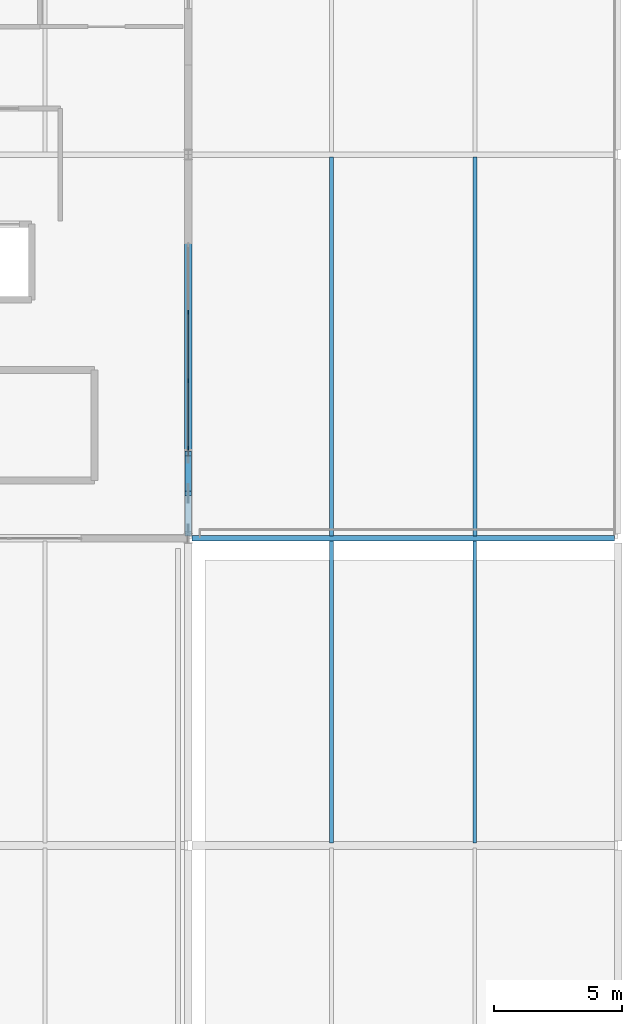
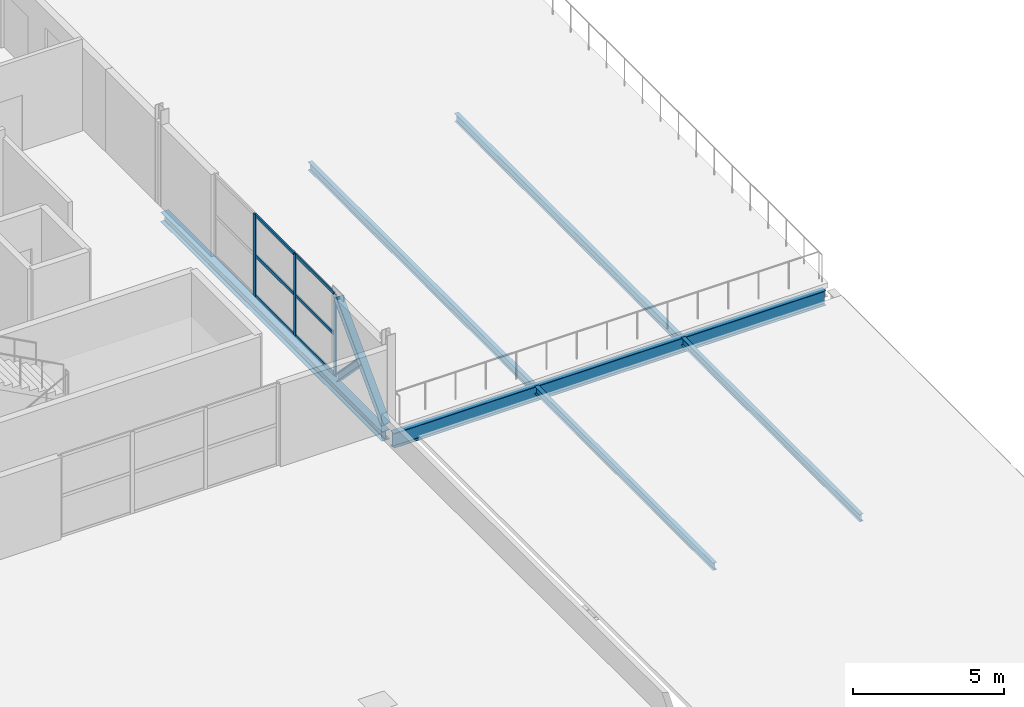
# One storey, part 21 of 36: 11 members, 6 beams, 1 element without a shape of its own.
"""IFC4 building model written with IfcOpenShell, lengths in metres."""

from ifc_helpers import new_model, si_unit, direction, frame, origin, origin_2d, place, context, subcontext, project, spatial, rectangle, i_section, extrude, material, material_profile, profile_set, type_object, element, aggregate, save


model = new_model("IFC4")

# Units and contexts
model_context = context("Model", 3, precision=1e-05, world=origin(), true_north=direction((0.0, 1.0)))
body_context = subcontext(model_context, "Body", "Model", "MODEL_VIEW")
ifc_project = project(units=[si_unit("LENGTHUNIT", "METRE"), si_unit("AREAUNIT", "SQUARE_METRE"), si_unit("VOLUMEUNIT", "CUBIC_METRE"), si_unit("PLANEANGLEUNIT", "RADIAN"), si_unit("MASSUNIT", "GRAM", prefix="KILO")], contexts=[model_context])

# Site, building, storey
site_placement = place(None, origin())
site = spatial("IfcSite", under=ifc_project, at=site_placement, CompositionType="ELEMENT")
building_placement = place(site_placement, origin())
building = spatial("IfcBuilding", under=site, at=building_placement, Name="Kimbaza Rail Terminus", CompositionType="ELEMENT")
storey_placement = place(building_placement, frame((0.0, 0.0, 21.0)))
storey = spatial("IfcBuildingStorey", under=building, at=storey_placement, Name="L04", CompositionType="ELEMENT", Elevation=21.0)

# Curtain wall, members
ifc_material_1 = material(Name="Anodised aluminium framing and solar low-E glazing", Category="aluminium")
curtain_wall_type = type_object("IfcCurtainWallType", Name="ARC-CW-OP2", PredefinedType="USERDEFINED", material=ifc_material_1)
curtain_wall_placement = place(storey_placement, origin())
curtain_wall = element("IfcCurtainWall", 1, at=curtain_wall_placement, inside=storey, type_object=curtain_wall_type, Name="Operations E Curtain Wall L04.1", ObjectType="STICK CURTAIN WALL", PredefinedType="USERDEFINED")
ifc_material_2 = material(Name="Anodised architectural aluminium", Category="aluminium")
ifc_material_profile_1 = material_profile(ifc_material_2, rectangle(XDim=0.05810546875, YDim=0.14990234375, at=origin_2d()), Name="MULLION 58x150")
ifc_profile_set_1 = profile_set([ifc_material_profile_1], Name="Anodised architectural aluminium")
member_type_1 = type_object("IfcMemberType", Name="ARC-CWM-06", PredefinedType="MULLION", material=ifc_profile_set_1)
member_1_placement = place(storey_placement, frame((139.199951171875, 106.529052734375, 0.0), z_axis=(0.0, 0.0, 1.0), x_axis=(-1.0, 0.0, 0.0)))
member_1 = element("IfcMember", 2, at=member_1_placement, type_object=member_type_1, Name="CW-06 mullion 1", PredefinedType="MULLION", context=body_context, shape_type="SweptSolid", body=[
    extrude(rectangle(XDim=0.05810546875, YDim=0.14990234375, at=origin_2d()), origin(), (0.0, 0.0, 1.0), 3.31494140625),
])
member_2_placement = place(storey_placement, frame((139.199951171875, 109.166748046875, 0.0), z_axis=(0.0, 0.0, 1.0), x_axis=(-1.0, 0.0, 0.0)))
member_2 = element("IfcMember", 3, at=member_2_placement, type_object=member_type_1, Name="CW-06 mullion 2", PredefinedType="MULLION", context=body_context, shape_type="SweptSolid", body=[
    extrude(rectangle(XDim=0.05810546875, YDim=0.14990234375, at=origin_2d()), origin(), (0.0, 0.0, 1.0), 3.31494140625),
])
member_3_placement = place(storey_placement, frame((139.199951171875, 111.833251953125, 0.0), z_axis=(0.0, 0.0, 1.0), x_axis=(-1.0, 0.0, 0.0)))
member_3 = element("IfcMember", 4, at=member_3_placement, type_object=member_type_1, Name="CW-06 mullion 3", PredefinedType="MULLION", context=body_context, shape_type="SweptSolid", body=[
    extrude(rectangle(XDim=0.05810546875, YDim=0.14990234375, at=origin_2d()), origin(), (0.0, 0.0, 1.0), 3.31494140625),
])
ifc_material_3 = material(Name="Anodised architectural aluminium", Category="aluminium")
ifc_material_profile_2 = material_profile(ifc_material_3, rectangle(XDim=0.05810546875, YDim=0.125, at=origin_2d()), Name="TRANSOM 58x125")
ifc_profile_set_2 = profile_set([ifc_material_profile_2], Name="Anodised architectural aluminium")
member_type_2 = type_object("IfcMemberType", Name="ARC-CWT-06", PredefinedType="USERDEFINED", material=ifc_profile_set_2)
member_4_placement = place(storey_placement, frame((139.199951171875, 106.55810546875, 0.029052734375), z_axis=(0.0, 1.0, 0.0), x_axis=(-1.0, 0.0, 0.0)))
member_4 = element("IfcMember", 5, at=member_4_placement, type_object=member_type_2, Name="CW-06 transom 1.1", ObjectType="TRANSOM", PredefinedType="USERDEFINED", context=body_context, shape_type="SweptSolid", body=[
    extrude(rectangle(XDim=0.05810546875, YDim=0.125, at=origin_2d()), origin(), (0.0, 0.0, 1.0), 2.57958984375),
])
member_5_placement = place(storey_placement, frame((139.199951171875, 106.55810546875, 1.657470703125), z_axis=(0.0, 1.0, 0.0), x_axis=(-1.0, 0.0, 0.0)))
member_5 = element("IfcMember", 6, at=member_5_placement, type_object=member_type_2, Name="CW-06 transom 1.2", ObjectType="TRANSOM", PredefinedType="USERDEFINED", context=body_context, shape_type="SweptSolid", body=[
    extrude(rectangle(XDim=0.05810546875, YDim=0.125, at=origin_2d()), origin(), (0.0, 0.0, 1.0), 2.57958984375),
])
member_6_placement = place(storey_placement, frame((139.199951171875, 106.55810546875, 3.285888671875), z_axis=(0.0, 1.0, 0.0), x_axis=(-1.0, 0.0, 0.0)))
member_6 = element("IfcMember", 7, at=member_6_placement, type_object=member_type_2, Name="CW-06 transom 1.3", ObjectType="TRANSOM", PredefinedType="USERDEFINED", context=body_context, shape_type="SweptSolid", body=[
    extrude(rectangle(XDim=0.05810546875, YDim=0.125, at=origin_2d()), origin(), (0.0, 0.0, 1.0), 2.57958984375),
])
member_7_placement = place(storey_placement, frame((139.199951171875, 109.195556640625, 0.029052734375), z_axis=(0.0, 1.0, 0.0), x_axis=(-1.0, 0.0, 0.0)))
member_7 = element("IfcMember", 8, at=member_7_placement, type_object=member_type_2, Name="CW-06 transom 2.1", ObjectType="TRANSOM", PredefinedType="USERDEFINED", context=body_context, shape_type="SweptSolid", body=[
    extrude(rectangle(XDim=0.05810546875, YDim=0.125, at=origin_2d()), origin(), (0.0, 0.0, 1.0), 2.60888671875),
])
member_8_placement = place(storey_placement, frame((139.199951171875, 109.195556640625, 1.657470703125), z_axis=(0.0, 1.0, 0.0), x_axis=(-1.0, 0.0, 0.0)))
member_8 = element("IfcMember", 9, at=member_8_placement, type_object=member_type_2, Name="CW-06 transom 2.2", ObjectType="TRANSOM", PredefinedType="USERDEFINED", context=body_context, shape_type="SweptSolid", body=[
    extrude(rectangle(XDim=0.05810546875, YDim=0.125, at=origin_2d()), origin(), (0.0, 0.0, 1.0), 2.60888671875),
])
member_9_placement = place(storey_placement, frame((139.199951171875, 109.195556640625, 3.285888671875), z_axis=(0.0, 1.0, 0.0), x_axis=(-1.0, 0.0, 0.0)))
member_9 = element("IfcMember", 10, at=member_9_placement, type_object=member_type_2, Name="CW-06 transom 2.3", ObjectType="TRANSOM", PredefinedType="USERDEFINED", context=body_context, shape_type="SweptSolid", body=[
    extrude(rectangle(XDim=0.05810546875, YDim=0.125, at=origin_2d()), origin(), (0.0, 0.0, 1.0), 2.60888671875),
])
aggregate(curtain_wall, [member_1, member_2, member_3, member_4, member_5, member_6, member_7, member_8, member_9])

# Beams
ifc_material_4 = material(Name="Steel S355", Category="steel")
ifc_material_profile_3 = material_profile(ifc_material_4, i_section(OverallWidth=0.300048828125, OverallDepth=0.389892578125, WebThickness=0.010986328125, FlangeThickness=0.01904296875, FilletRadius=0.027099609375, at=origin_2d()), Name="HEA 400")
ifc_profile_set_3 = profile_set([ifc_material_profile_3], Name="Steel S355")
beam_type_1 = type_object("IfcBeamType", Name="STR-BM-HEA400", PredefinedType="SPANDREL", material=ifc_profile_set_3)
beam_1_placement = place(storey_placement, frame((139.199951171875, 103.175048828125, -0.39501953125), z_axis=(0.0, 1.0, 0.0), x_axis=(-1.0, 0.0, 0.0)))
element("IfcBeam", 11, at=beam_1_placement, inside=storey, type_object=beam_type_1, Name="Operations Cross Girder L04 X5-Y0", PredefinedType="SPANDREL", context=body_context, shape_type="SweptSolid", body=[
    extrude(i_section(OverallWidth=0.300048828125, OverallDepth=0.389892578125, WebThickness=0.010986328125, FlangeThickness=0.01904296875, FilletRadius=0.027099609375, at=origin_2d()), origin(), (0.0, 0.0, 1.0), 14.64990234375),
])
ifc_material_5 = material(Name="Steel S355", Category="steel")
ifc_material_profile_4 = material_profile(ifc_material_5, i_section(OverallWidth=0.14990234375, OverallDepth=0.300048828125, WebThickness=0.007080078125, FlangeThickness=0.0107421875, FilletRadius=0.014892578125, at=origin_2d()), Name="IPE 300")
ifc_profile_set_4 = profile_set([ifc_material_profile_4], Name="Steel S355")
beam_type_2 = type_object("IfcBeamType", Name="STR-BM-IPE300", PredefinedType="JOIST", material=ifc_profile_set_4)
for number, where, z_axis, x_axis, name in (
    (12, (144.800048828125, 91.10009765625, -0.324951171875), (0.0, 1.0, 0.0), (-1.0, 0.0, 0.0), "Beam JST-BRGRF-L04-4-1-91"),
    (13, (150.39990234375, 91.10009765625, -0.324951171875), (0.0, 1.0, 0.0), (-1.0, 0.0, 0.0), "Beam JST-BRGRF-L04-4-2-91"),
):
    element("IfcBeam", number, at=place(storey_placement, frame(where, z_axis=z_axis, x_axis=x_axis)), inside=storey, type_object=beam_type_2, Name=name, PredefinedType="JOIST", context=body_context, shape_type="SweptSolid", body=[
        extrude(i_section(OverallWidth=0.14990234375, OverallDepth=0.300048828125, WebThickness=0.007080078125, FlangeThickness=0.0107421875, FilletRadius=0.014892578125, at=origin_2d()), origin(), (0.0, 0.0, 1.0), 11.7998046875),
    ])
ifc_material_6 = material(Name="Steel S355", Category="steel")
ifc_material_profile_5 = material_profile(ifc_material_6, i_section(OverallWidth=0.159912109375, OverallDepth=0.330078125, WebThickness=0.007568359375, FlangeThickness=0.011474609375, FilletRadius=0.01806640625, at=origin_2d()), Name="IPE 330")
ifc_profile_set_5 = profile_set([ifc_material_profile_5], Name="Steel S355")
beam_type_3 = type_object("IfcBeamType", Name="STR-BM-IPE330", PredefinedType="JOIST", material=ifc_profile_set_5)
for number, where, z_axis, x_axis, name in (
    (14, (144.800048828125, 103.10009765625, -0.364990234375), (0.0, 1.0, 0.0), (-1.0, 0.0, 0.0), "Beam JST-TER4-1-0"),
    (15, (150.39990234375, 103.10009765625, -0.364990234375), (0.0, 1.0, 0.0), (-1.0, 0.0, 0.0), "Beam JST-TER4-2-0"),
):
    element("IfcBeam", number, at=place(storey_placement, frame(where, z_axis=z_axis, x_axis=x_axis)), inside=storey, type_object=beam_type_3, Name=name, PredefinedType="JOIST", context=body_context, shape_type="SweptSolid", body=[
        extrude(i_section(OverallWidth=0.159912109375, OverallDepth=0.330078125, WebThickness=0.007568359375, FlangeThickness=0.011474609375, FilletRadius=0.01806640625, at=origin_2d()), origin(), (0.0, 0.0, 1.0), 14.7998046875),
    ])
ifc_material_7 = material(Name="Steel S355", Category="steel")
ifc_material_profile_6 = material_profile(ifc_material_7, i_section(OverallWidth=0.219970703125, OverallDepth=0.60009765625, WebThickness=0.011962890625, FlangeThickness=0.01904296875, FilletRadius=0.02392578125, at=origin_2d()), Name="IPE 600")
ifc_profile_set_6 = profile_set([ifc_material_profile_6], Name="Steel S355")
beam_type_4 = type_object("IfcBeamType", Name="STR-BM-IPE600", PredefinedType="BEAM", material=ifc_profile_set_6)
beam_2_placement = place(storey_placement, frame((139.345947265625, 103.0, -0.5), z_axis=(1.0, 0.0, 0.0), x_axis=(0.0, 1.0, 0.0)))
element("IfcBeam", 16, at=beam_2_placement, inside=storey, type_object=beam_type_4, Name="Beam BM-TER4X-0", PredefinedType="BEAM", context=body_context, shape_type="SweptSolid", body=[
    extrude(i_section(OverallWidth=0.219970703125, OverallDepth=0.60009765625, WebThickness=0.011962890625, FlangeThickness=0.01904296875, FilletRadius=0.02392578125, at=origin_2d()), origin(), (0.0, 0.0, 1.0), 16.508056640625),
])

# Members
ifc_material_8 = material(Name="Steel S355", Category="steel")
ifc_material_profile_7 = material_profile(ifc_material_8, i_section(OverallWidth=0.260009765625, OverallDepth=0.260009765625, WebThickness=0.010009765625, FlangeThickness=0.017578125, FilletRadius=0.02392578125, at=origin_2d()), Name="HEB 260")
ifc_profile_set_7 = profile_set([ifc_material_profile_7], Name="Steel S355")
member_type_3 = type_object("IfcMemberType", Name="STR-MB-HEB260", PredefinedType="BRACE", material=ifc_profile_set_7)
member_10_placement = place(storey_placement, frame((139.199951171875, 103.179931640625, 0.050048828125), z_axis=(0.0, 0.694847066987, 0.719157530378), x_axis=(-1.0, 0.0, 0.0)))
element("IfcMember", 17, at=member_10_placement, inside=storey, type_object=member_type_3, Name="Perimeter X-Brace Continuous Diagonal 2", PredefinedType="BRACE", context=body_context, shape_type="SweptSolid", body=[
    extrude(i_section(OverallWidth=0.260009765625, OverallDepth=0.260009765625, WebThickness=0.010009765625, FlangeThickness=0.017578125, FilletRadius=0.02392578125, at=origin_2d()), origin(), (0.0, 0.0, 1.0), 4.519287109375),
])
member_11_placement = place(storey_placement, frame((139.199951171875, 106.320068359375, 0.050048828125), z_axis=(0.0, -0.694847066987, 0.719157530378), x_axis=(1.0, 0.0, 0.0)))
element("IfcMember", 18, at=member_11_placement, inside=storey, type_object=member_type_3, Name="Perimeter X-Brace Split Diagonal 2A", PredefinedType="BRACE", context=body_context, shape_type="SweptSolid", body=[
    extrude(i_section(OverallWidth=0.260009765625, OverallDepth=0.260009765625, WebThickness=0.010009765625, FlangeThickness=0.017578125, FilletRadius=0.02392578125, at=origin_2d()), origin(), (0.0, 0.0, 1.0), 2.259521484375),
])

save(model, "model.ifc")
